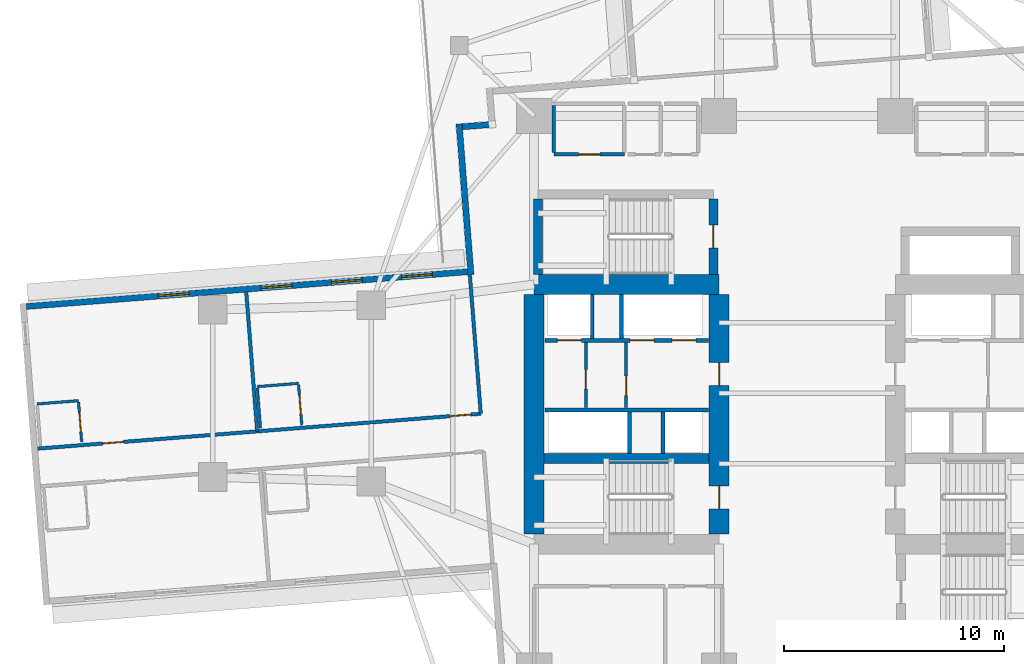
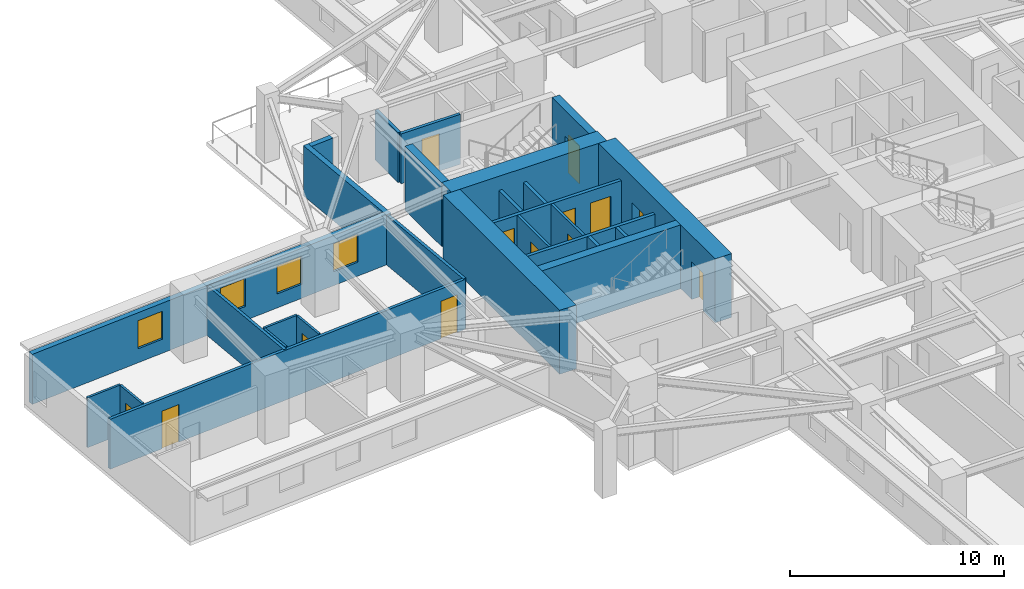
# One storey, part 5 of 13: 27 walls, 13 doors, 4 windows, 17 openings.
"""IFC4 building model written with IfcOpenShell, lengths in metres."""

from ifc_helpers import new_model, si_unit, direction, frame, frame_2d, origin, place, context, subcontext, project, spatial, rectangle, extrude, material, layer, layer_set, type_object, element, fill, save


model = new_model("IFC4")

# Units and contexts
model_context = context("Model", 3, precision=1e-05, world=origin(), true_north=direction((0.0, 1.0)))
body_context = subcontext(model_context, "Body", "Model", "MODEL_VIEW")
ifc_project = project(units=[si_unit("LENGTHUNIT", "METRE"), si_unit("AREAUNIT", "SQUARE_METRE"), si_unit("VOLUMEUNIT", "CUBIC_METRE"), si_unit("PLANEANGLEUNIT", "RADIAN"), si_unit("MASSUNIT", "GRAM", prefix="KILO")], contexts=[model_context])

# Site, building, storey
site_placement = place(None, origin())
site = spatial("IfcSite", under=ifc_project, at=site_placement, CompositionType="ELEMENT")
building_placement = place(site_placement, origin())
building = spatial("IfcBuilding", under=site, at=building_placement, Name="Qingluan Cross Belvedere", CompositionType="ELEMENT")
storey_placement = place(building_placement, frame((0.0, 0.0, 43.199951171875)))
storey = spatial("IfcBuildingStorey", under=building, at=storey_placement, Name="L11", CompositionType="ELEMENT", Elevation=43.199951171875)

# Walls
ifc_material_1 = material(Name="Concrete C50", Category="concrete")
ifc_layer_1 = layer(ifc_material_1, 0.449951171875, Name="CoreShearWall_450")
ifc_layer_set_1 = layer_set([ifc_layer_1], Name="Concrete C50")
wall_type_1 = type_object("IfcWallType", Name="CoreShearWall_450", PredefinedType="SHEAR", material=ifc_layer_set_1)
wall_1_placement = place(storey_placement, frame((-11.945068359375, -2.9599609375, 0.0), z_axis=(0.0, 0.0, 1.0), x_axis=(1.0, 0.0, 0.0)))
element("IfcWall", 1, at=wall_1_placement, inside=storey, type_object=wall_type_1, Name="Split core W shear wall L11-M", PredefinedType="SHEAR", context=body_context, shape_type="SweptSolid", body=[
    extrude(rectangle(XDim=7.489990234375, YDim=0.449951171875, at=frame_2d((3.7451171875, 0.0))), origin(), (0.0, 0.0, 1.0), 3.650146484375),
])
wall_2_placement = place(storey_placement, frame((-12.219970703125, 5.405029296875, 0.0), z_axis=(0.0, 0.0, 1.0), x_axis=(0.0, 1.0, 0.0)))
element("IfcWall", 2, at=wall_2_placement, inside=storey, type_object=wall_type_1, Name="Stair ST3 structural wall W L11", PredefinedType="SHEAR", context=body_context, shape_type="SweptSolid", body=[
    extrude(rectangle(XDim=3.429931640625, YDim=0.39990234375, at=frame_2d((1.71484375, 0.0))), origin(), (0.0, 0.0, 1.0), 3.650146484375),
])

# Wall, opening, door
wall_3_placement = place(storey_placement, frame((-4.260009765625, 5.405029296875, 0.0), z_axis=(0.0, 0.0, 1.0), x_axis=(0.0, 1.0, 0.0)))
wall_3 = element("IfcWall", 3, at=wall_3_placement, inside=storey, type_object=wall_type_1, Name="Stair ST3 structural wall E L11", PredefinedType="SHEAR", context=body_context, shape_type="SweptSolid", body=[
    extrude(rectangle(XDim=3.429931640625, YDim=0.39990234375, at=frame_2d((1.71484375, 0.0))), origin(), (0.0, 0.0, 1.0), 3.650146484375),
])
opening_1_placement = place(wall_3_placement, frame((1.195068359375, 0.0, 0.0)))
opening_1 = element("IfcOpeningElement", 4, at=opening_1_placement, cuts=wall_3, Name="Opening FD-B11", PredefinedType="OPENING", context=body_context, shape_type="SweptSolid", body=[
    extrude(rectangle(XDim=1.050048828125, YDim=2.14990234375, at=frame_2d((0.52490234375, 1.074951171875))), frame((0.0, 0.2099609375, 0.0), z_axis=(0.0, -1.0, 0.0), x_axis=(1.0, 0.0, 0.0)), (0.0, 0.0, 1.0), 0.419921875),
])
ifc_material_2 = material(Name="Steel Class B smoke-seal fire door", Category="steel")
door_type_1 = type_object("IfcDoorType", Name="StairLobbyFireDoor_FDB", OperationType="NOTDEFINED", PredefinedType="DOOR", material=ifc_material_2)
door_1_placement = place(opening_1_placement, origin())
door_1 = element("IfcDoor", 5, at=door_1_placement, inside=storey, type_object=door_type_1, Name="Smoke-proof stair ST3 fire door L11", OperationType="SINGLE_SWING_RIGHT", OverallHeight=2.14990234375, OverallWidth=1.050048828125, PredefinedType="DOOR", context=body_context, shape_type="SweptSolid", body=[
    extrude(rectangle(XDim=1.050048828125, YDim=2.14990234375, at=frame_2d((0.52490234375, 1.074951171875))), frame((0.0, 0.02490234375, 0.0), z_axis=(0.0, -1.0, 0.0), x_axis=(1.0, 0.0, 0.0)), (0.0, 0.0, 1.0), 0.050048828125),
])
fill(opening_1, door_1)

# Walls
ifc_material_3 = material(Name="Concrete C70", Category="concrete")
ifc_layer_2 = layer(ifc_material_3, 0.89990234375, Name="CoreShearWall_900")
ifc_layer_set_2 = layer_set([ifc_layer_2], Name="Concrete C70")
wall_type_2 = type_object("IfcWallType", Name="CoreShearWall_900", PredefinedType="SHEAR", material=ifc_layer_set_2)
wall_4_placement = place(storey_placement, frame((-12.39990234375, 4.949951171875, 0.0), z_axis=(0.0, 0.0, 1.0), x_axis=(1.0, 0.0, 0.0)))
element("IfcWall", 6, at=wall_4_placement, inside=storey, type_object=wall_type_2, Name="Split core W shear wall L11-N", PredefinedType="SHEAR", context=body_context, shape_type="SweptSolid", body=[
    extrude(rectangle(XDim=8.39990234375, YDim=0.89990234375, at=frame_2d((4.199951171875, 0.0))), origin(), (0.0, 0.0, 1.0), 3.650146484375),
])
wall_5_placement = place(storey_placement, frame((-12.39990234375, -6.39501953125, 0.0), z_axis=(0.0, 0.0, 1.0), x_axis=(0.0, 1.0, 0.0)))
element("IfcWall", 7, at=wall_5_placement, inside=storey, type_object=wall_type_2, Name="Split core W shear wall L11-W", PredefinedType="SHEAR", context=body_context, shape_type="SweptSolid", body=[
    extrude(rectangle(XDim=10.89013671875, YDim=0.89990234375, at=frame_2d((5.445068359375, 0.0))), origin(), (0.0, 0.0, 1.0), 3.650146484375),
])

# Wall, openings, doors
wall_6_placement = place(storey_placement, frame((-4.0, -6.39501953125, 0.0), z_axis=(0.0, 0.0, 1.0), x_axis=(0.0, 1.0, 0.0)))
wall_6 = element("IfcWall", 8, at=wall_6_placement, inside=storey, type_object=wall_type_2, Name="Split core W shear wall L11-E", PredefinedType="SHEAR", context=body_context, shape_type="SweptSolid", body=[
    extrude(rectangle(XDim=10.89013671875, YDim=0.89990234375, at=frame_2d((5.445068359375, 0.0))), origin(), (0.0, 0.0, 1.0), 3.650146484375),
])
opening_2_placement = place(wall_6_placement, frame((1.14501953125, 0.0, 0.0)))
opening_2 = element("IfcOpeningElement", 9, at=opening_2_placement, cuts=wall_6, Name="Opening FD-B11", PredefinedType="OPENING", context=body_context, shape_type="SweptSolid", body=[
    extrude(rectangle(XDim=1.050048828125, YDim=2.14990234375, at=frame_2d((0.52490234375, 1.074951171875))), frame((0.0, 0.4599609375, 0.0), z_axis=(0.0, -1.0, 0.0), x_axis=(1.0, 0.0, 0.0)), (0.0, 0.0, 1.0), 0.919921875),
])
opening_3_placement = place(wall_6_placement, frame((6.7451171875, 0.0, 0.0)))
opening_3 = element("IfcOpeningElement", 10, at=opening_3_placement, cuts=wall_6, Name="Opening FD-B11", PredefinedType="OPENING", context=body_context, shape_type="SweptSolid", body=[
    extrude(rectangle(XDim=1.050048828125, YDim=2.14990234375, at=frame_2d((0.52490234375, 1.074951171875))), frame((0.0, 0.4599609375, 0.0), z_axis=(0.0, -1.0, 0.0), x_axis=(1.0, 0.0, 0.0)), (0.0, 0.0, 1.0), 0.919921875),
])
door_2_placement = place(opening_2_placement, origin())
door_2 = element("IfcDoor", 11, at=door_2_placement, inside=storey, type_object=door_type_1, Name="Smoke-proof stair ST1 fire door L11", OperationType="SINGLE_SWING_RIGHT", OverallHeight=2.14990234375, OverallWidth=1.050048828125, PredefinedType="DOOR", context=body_context, shape_type="SweptSolid", body=[
    extrude(rectangle(XDim=1.050048828125, YDim=2.14990234375, at=frame_2d((0.52490234375, 1.074951171875))), frame((0.0, 0.02490234375, 0.0), z_axis=(0.0, -1.0, 0.0), x_axis=(1.0, 0.0, 0.0)), (0.0, 0.0, 1.0), 0.050048828125),
])
fill(opening_2, door_2)
door_3_placement = place(opening_3_placement, origin())
door_3 = element("IfcDoor", 12, at=door_3_placement, inside=storey, type_object=door_type_1, Name="Firefighting lobby West fire door L11", OperationType="SINGLE_SWING_RIGHT", OverallHeight=2.14990234375, OverallWidth=1.050048828125, PredefinedType="DOOR", context=body_context, shape_type="SweptSolid", body=[
    extrude(rectangle(XDim=1.050048828125, YDim=2.14990234375, at=frame_2d((0.52490234375, 1.074951171875))), frame((0.0, 0.02490234375, 0.0), z_axis=(0.0, -1.0, 0.0), x_axis=(1.0, 0.0, 0.0)), (0.0, 0.0, 1.0), 0.050048828125),
])
fill(opening_3, door_3)

# Wall, opening, door
ifc_material_4 = material(Name="Gypsum plasterboard on steel stud acoustic partition", Category="steel")
ifc_layer_3 = layer(ifc_material_4, 0.159912109375, Name="CorridorPartition_160")
ifc_layer_set_3 = layer_set([ifc_layer_3], Name="Gypsum plasterboard on steel stud acoustic partition")
wall_type_3 = type_object("IfcWallType", Name="CorridorPartition_160", PredefinedType="PARTITIONING", material=ifc_layer_set_3)
wall_7_placement = place(storey_placement, frame((-10.050048828125, -0.652099609375, 0.0), z_axis=(0.0, 0.0, 1.0), x_axis=(0.0, 1.0, 0.0)))
wall_7 = element("IfcWall", 13, at=wall_7_placement, inside=storey, type_object=wall_type_3, Name="Partition L11:wv", PredefinedType="PARTITIONING", context=body_context, shape_type="SweptSolid", body=[
    extrude(rectangle(XDim=2.962158203125, YDim=0.139892578125, at=frame_2d((1.48095703125, 0.0))), origin(), (0.0, 0.0, 1.0), 2.85009765625),
])
opening_4_placement = place(wall_7_placement, frame((0.85009765625, 0.0, 0.0)))
opening_4 = element("IfcOpeningElement", 14, at=opening_4_placement, cuts=wall_7, Name="Opening FD-B10", PredefinedType="OPENING", context=body_context, shape_type="SweptSolid", body=[
    extrude(rectangle(XDim=0.8798828125, YDim=2.10009765625, at=frame_2d((0.43994140625, 1.050048828125))), frame((0.0, 0.079833984375, 0.0), z_axis=(0.0, -1.0, 0.0), x_axis=(1.0, 0.0, 0.0)), (0.0, 0.0, 1.0), 0.159912109375),
])
ifc_material_5 = material(Name="Steel Class B service fire door", Category="steel")
door_type_2 = type_object("IfcDoorType", Name="RiserServiceFireDoor_FDB", OperationType="NOTDEFINED", PredefinedType="DOOR", material=ifc_material_5)
door_4_placement = place(opening_4_placement, origin())
door_4 = element("IfcDoor", 15, at=door_4_placement, inside=storey, type_object=door_type_2, Name="Service closet inner door L11", OperationType="SINGLE_SWING_RIGHT", OverallHeight=2.10009765625, OverallWidth=0.8798828125, PredefinedType="DOOR", context=body_context, shape_type="SweptSolid", body=[
    extrude(rectangle(XDim=0.8798828125, YDim=2.10009765625, at=frame_2d((0.43994140625, 1.050048828125))), frame((0.0, 0.02490234375, 0.0), z_axis=(0.0, -1.0, 0.0), x_axis=(1.0, 0.0, 0.0)), (0.0, 0.0, 1.0), 0.050048828125),
])
fill(opening_4, door_4)

wall_8_placement = place(storey_placement, frame((-11.5, 10.85009765625, 0.0), z_axis=(0.0, 0.0, 1.0), x_axis=(1.0, 0.0, 0.0)))
wall_8 = element("IfcWall", 16, at=wall_8_placement, inside=storey, type_object=wall_type_3, Name="Partition L11:q_nw_occ:S", PredefinedType="PARTITIONING", context=body_context, shape_type="SweptSolid", body=[
    extrude(rectangle(XDim=3.199951171875, YDim=0.159912109375, at=frame_2d((1.60009765625, 0.0))), origin(), (0.0, 0.0, 1.0), 2.85009765625),
])
opening_5_placement = place(wall_8_placement, frame((1.1201171875, 0.0, 0.0)))
opening_5 = element("IfcOpeningElement", 17, at=opening_5_placement, cuts=wall_8, Name="Opening GD-10", PredefinedType="OPENING", context=body_context, shape_type="SweptSolid", body=[
    extrude(rectangle(XDim=0.9599609375, YDim=2.14990234375, at=frame_2d((0.47998046875, 1.074951171875))), frame((0.0, 0.08984375, 0.0), z_axis=(0.0, -1.0, 0.0), x_axis=(1.0, 0.0, 0.0)), (0.0, 0.0, 1.0), 0.179931640625),
])
ifc_material_6 = material(Name="Timber oak fire-rated acoustic guestroom door", Category="wood")
door_type_3 = type_object("IfcDoorType", Name="GuestEntryDoor_FD60", OperationType="NOTDEFINED", PredefinedType="DOOR", material=ifc_material_6)
door_5_placement = place(opening_5_placement, origin())
door_5 = element("IfcDoor", 18, at=door_5_placement, inside=storey, type_object=door_type_3, Name="Northwest corner reading salon L11 door", OperationType="SINGLE_SWING_RIGHT", OverallHeight=2.14990234375, OverallWidth=0.9599609375, PredefinedType="DOOR", context=body_context, shape_type="SweptSolid", body=[
    extrude(rectangle(XDim=0.9599609375, YDim=2.14990234375, at=frame_2d((0.47998046875, 1.074951171875))), frame((0.0, 0.02490234375, 0.0), z_axis=(0.0, -1.0, 0.0), x_axis=(1.0, 0.0, 0.0)), (0.0, 0.0, 1.0), 0.050048828125),
])
fill(opening_5, door_5)

# Wall
wall_9_placement = place(storey_placement, frame((-11.5, 10.93505859375, 0.0), z_axis=(0.0, 0.0, 1.0), x_axis=(0.0, 1.0, 0.0)))
element("IfcWall", 19, at=wall_9_placement, inside=storey, type_object=wall_type_3, Name="Partition L11:q_nw_occ:W", PredefinedType="PARTITIONING", context=body_context, shape_type="SweptSolid", body=[
    extrude(rectangle(XDim=2.1298828125, YDim=0.159912109375, at=frame_2d((1.06494140625, 0.0))), origin(), (0.0, 0.0, 1.0), 2.85009765625),
])

# Wall, openings, doors
wall_10_placement = place(storey_placement, frame((-14.822998046875, -0.92578125, 0.0), z_axis=(0.0, 0.0, 1.0), x_axis=(-0.996917226209, -0.078460461943, 0.0)))
wall_10 = element("IfcWall", 20, at=wall_10_placement, inside=storey, type_object=wall_type_3, Name="Partition L11:W:c0", PredefinedType="PARTITIONING", context=body_context, shape_type="SweptSolid", body=[
    extrude(rectangle(XDim=20.18212890625, YDim=0.159912109375, at=frame_2d((10.091064453125, 0.0))), origin(), (0.0, 0.0, 1.0), 2.85009765625),
])
opening_6_placement = place(wall_10_placement, frame((0.449951171875, 0.0, 0.0)))
opening_6 = element("IfcOpeningElement", 21, at=opening_6_placement, cuts=wall_10, Name="Opening GD-10", PredefinedType="OPENING", context=body_context, shape_type="SweptSolid", body=[
    extrude(rectangle(XDim=0.9599609375, YDim=2.14990234375, at=frame_2d((0.47998046875, 1.074951171875))), frame((0.0, 0.08984375, 0.0), z_axis=(0.0, -1.0, 0.0), x_axis=(1.0, 0.0, 0.0)), (0.0, 0.0, 1.0), 0.179931640625),
])
opening_7_placement = place(wall_10_placement, frame((16.26806640625, 0.0, 0.0)))
opening_7 = element("IfcOpeningElement", 22, at=opening_7_placement, cuts=wall_10, Name="Opening GD-10", PredefinedType="OPENING", context=body_context, shape_type="SweptSolid", body=[
    extrude(rectangle(XDim=0.9599609375, YDim=2.14990234375, at=frame_2d((0.47998046875, 1.074951171875))), frame((0.0, 0.08984375, 0.0), z_axis=(0.0, -1.0, 0.0), x_axis=(1.0, 0.0, 0.0)), (0.0, 0.0, 1.0), 0.179931640625),
])
door_6_placement = place(opening_6_placement, origin())
door_6 = element("IfcDoor", 23, at=door_6_placement, inside=storey, type_object=door_type_3, Name="Guest entry fire door 1105", OperationType="SINGLE_SWING_LEFT", OverallHeight=2.14990234375, OverallWidth=0.9599609375, PredefinedType="DOOR", context=body_context, shape_type="SweptSolid", body=[
    extrude(rectangle(XDim=0.9599609375, YDim=2.14990234375, at=frame_2d((0.47998046875, 1.074951171875))), frame((0.0, 0.02490234375, 0.0), z_axis=(0.0, -1.0, 0.0), x_axis=(1.0, 0.0, 0.0)), (0.0, 0.0, 1.0), 0.050048828125),
])
fill(opening_6, door_6)
door_7_placement = place(opening_7_placement, origin())
door_7 = element("IfcDoor", 24, at=door_7_placement, inside=storey, type_object=door_type_3, Name="Guest entry fire door 1106", OperationType="SINGLE_SWING_LEFT", OverallHeight=2.14990234375, OverallWidth=0.9599609375, PredefinedType="DOOR", context=body_context, shape_type="SweptSolid", body=[
    extrude(rectangle(XDim=0.9599609375, YDim=2.14990234375, at=frame_2d((0.47998046875, 1.074951171875))), frame((0.0, 0.02490234375, 0.0), z_axis=(0.0, -1.0, 0.0), x_axis=(1.0, 0.0, 0.0)), (0.0, 0.0, 1.0), 0.050048828125),
])
fill(opening_7, door_7)

# Walls
for number, where, z_axis, x_axis, name in (
    (25, (-14.822998046875, -0.92578125, 0.0), (0.0, 0.0, 1.0), (-0.078462493424, 0.996917066323, 0.0), "Partition L11:W:s0"),
    (26, (-24.976806640625, -1.72509765625, 0.0), (0.0, 0.0, 1.0), (-0.07842417411, 0.996920081509, 0.0), "Partition L11:W:d0_0"),
):
    element("IfcWall", number, at=place(storey_placement, frame(where, z_axis=z_axis, x_axis=x_axis)), inside=storey, type_object=wall_type_3, Name=name, PredefinedType="PARTITIONING", context=body_context, shape_type="SweptSolid", body=[
        extrude(rectangle(XDim=6.33203125, YDim=0.159912109375, at=frame_2d((3.166015625, 0.0))), origin(), (0.0, 0.0, 1.0), 2.85009765625),
    ])

# Wall, opening, door
ifc_material_7 = material(Name="Moisture-resistant gypsum board lining")
ifc_layer_4 = layer(ifc_material_7, 0.1201171875, Name="EnsuiteWetPartition_120")
ifc_layer_set_4 = layer_set([ifc_layer_4], Name="Moisture-resistant gypsum board lining")
wall_type_4 = type_object("IfcWallType", Name="EnsuiteWetPartition_120", PredefinedType="PARTITIONING", material=ifc_layer_set_4)
wall_11_placement = place(storey_placement, frame((-22.953857421875, -1.42529296875, 0.0), z_axis=(0.0, 0.0, 1.0), x_axis=(-0.0784709492, 0.996916400774, 0.0)))
wall_11 = element("IfcWall", 27, at=wall_11_placement, inside=storey, type_object=wall_type_4, Name="Partition L11:W:bs0_0", PredefinedType="PARTITIONING", context=body_context, shape_type="SweptSolid", body=[
    extrude(rectangle(XDim=1.820068359375, YDim=0.1201171875, at=frame_2d((0.91015625, 0.0))), origin(), (0.0, 0.0, 1.0), 2.85009765625),
])
opening_8_placement = place(wall_11_placement, frame((0.469970703125, 0.0, 0.0)))
opening_8 = element("IfcOpeningElement", 28, at=opening_8_placement, cuts=wall_11, Name="Opening BD-09", PredefinedType="OPENING", context=body_context, shape_type="SweptSolid", body=[
    extrude(rectangle(XDim=0.8798828125, YDim=2.10009765625, at=frame_2d((0.43994140625, 1.050048828125))), frame((0.0, 0.070068359375, 0.0), z_axis=(0.0, -1.0, 0.0), x_axis=(1.0, 0.0, 0.0)), (0.0, 0.0, 1.0), 0.14013671875),
])
ifc_material_8 = material(Name="Moisture-sealed timber en-suite door", Category="wood")
door_type_4 = type_object("IfcDoorType", Name="BathroomDoor_880", OperationType="NOTDEFINED", PredefinedType="DOOR", material=ifc_material_8)
door_8_placement = place(opening_8_placement, origin())
door_8 = element("IfcDoor", 29, at=door_8_placement, inside=storey, type_object=door_type_4, Name="Bathroom door 1105", OperationType="SINGLE_SWING_RIGHT", OverallHeight=2.10009765625, OverallWidth=0.8798828125, PredefinedType="DOOR", context=body_context, shape_type="SweptSolid", body=[
    extrude(rectangle(XDim=0.8798828125, YDim=2.10009765625, at=frame_2d((0.43994140625, 1.050048828125))), frame((0.0, 0.02490234375, 0.0), z_axis=(0.0, -1.0, 0.0), x_axis=(1.0, 0.0, 0.0)), (0.0, 0.0, 1.0), 0.050048828125),
])
fill(opening_8, door_8)

# Walls
wall_12_placement = place(storey_placement, frame((-24.828125, -1.57275390625, 0.0), z_axis=(0.0, 0.0, 1.0), x_axis=(-0.078481444107, 0.996915574626, 0.0)))
element("IfcWall", 30, at=wall_12_placement, inside=storey, type_object=wall_type_4, Name="Partition L11:W:bw0_0", PredefinedType="PARTITIONING", context=body_context, shape_type="SweptSolid", body=[
    extrude(rectangle(XDim=1.81982421875, YDim=0.1201171875, at=frame_2d((0.909912109375, 0.0))), origin(), (0.0, 0.0, 1.0), 2.85009765625),
])
wall_13_placement = place(storey_placement, frame((-23.101806640625, 0.453857421875, 0.0), z_axis=(0.0, 0.0, 1.0), x_axis=(-0.996919293781, -0.07843418698, 0.0)))
element("IfcWall", 31, at=wall_13_placement, inside=storey, type_object=wall_type_4, Name="Partition L11:W:bn0_0", PredefinedType="PARTITIONING", context=body_context, shape_type="SweptSolid", body=[
    extrude(rectangle(XDim=1.880126953125, YDim=0.1201171875, at=frame_2d((0.93994140625, 0.0))), origin(), (0.0, 0.0, 1.0), 2.85009765625),
])

# Wall, opening, door
wall_14_placement = place(storey_placement, frame((-32.947998046875, -2.2119140625, 0.0), z_axis=(0.0, 0.0, 1.0), x_axis=(-0.0784709492, 0.996916400774, 0.0)))
wall_14 = element("IfcWall", 32, at=wall_14_placement, inside=storey, type_object=wall_type_4, Name="Partition L11:W:bs0_1", PredefinedType="PARTITIONING", context=body_context, shape_type="SweptSolid", body=[
    extrude(rectangle(XDim=1.820068359375, YDim=0.1201171875, at=frame_2d((0.91015625, 0.0))), origin(), (0.0, 0.0, 1.0), 2.85009765625),
])
opening_9_placement = place(wall_14_placement, frame((0.469970703125, 0.0, 0.0)))
opening_9 = element("IfcOpeningElement", 33, at=opening_9_placement, cuts=wall_14, Name="Opening BD-09", PredefinedType="OPENING", context=body_context, shape_type="SweptSolid", body=[
    extrude(rectangle(XDim=0.8798828125, YDim=2.10009765625, at=frame_2d((0.43994140625, 1.050048828125))), frame((0.0, 0.070068359375, 0.0), z_axis=(0.0, -1.0, 0.0), x_axis=(1.0, 0.0, 0.0)), (0.0, 0.0, 1.0), 0.14013671875),
])
door_9_placement = place(opening_9_placement, origin())
door_9 = element("IfcDoor", 34, at=door_9_placement, inside=storey, type_object=door_type_4, Name="Bathroom door 1106", OperationType="SINGLE_SWING_RIGHT", OverallHeight=2.10009765625, OverallWidth=0.8798828125, PredefinedType="DOOR", context=body_context, shape_type="SweptSolid", body=[
    extrude(rectangle(XDim=0.8798828125, YDim=2.10009765625, at=frame_2d((0.43994140625, 1.050048828125))), frame((0.0, 0.02490234375, 0.0), z_axis=(0.0, -1.0, 0.0), x_axis=(1.0, 0.0, 0.0)), (0.0, 0.0, 1.0), 0.050048828125),
])
fill(opening_9, door_9)

# Wall
wall_15_placement = place(storey_placement, frame((-33.095947265625, -0.332763671875, 0.0), z_axis=(0.0, 0.0, 1.0), x_axis=(-0.996919293781, -0.07843418698, 0.0)))
element("IfcWall", 35, at=wall_15_placement, inside=storey, type_object=wall_type_4, Name="Partition L11:W:bn0_1", PredefinedType="PARTITIONING", context=body_context, shape_type="SweptSolid", body=[
    extrude(rectangle(XDim=1.880126953125, YDim=0.1201171875, at=frame_2d((0.93994140625, 0.0))), origin(), (0.0, 0.0, 1.0), 2.85009765625),
])

# Wall, openings, windows
ifc_material_9 = material(Name="Precast concrete C45", Category="concrete")
ifc_layer_5 = layer(ifc_material_9, 0.280029296875, Name="PrecastFacadeWall_280")
ifc_layer_set_5 = layer_set([ifc_layer_5], Name="Precast concrete C45")
wall_type_5 = type_object("IfcWallType", Name="PrecastFacadeWall_280", PredefinedType="STANDARD", material=ifc_layer_set_5)
wall_16_placement = place(storey_placement, frame((-15.421142578125, 5.527099609375, 0.0), z_axis=(0.0, 0.0, 1.0), x_axis=(-0.996917828963, -0.078452802979, 0.0)))
wall_16 = element("IfcWall", 36, at=wall_16_placement, inside=storey, type_object=wall_type_5, Name="Facade wall L11-WA", PredefinedType="STANDARD", context=body_context, shape_type="SweptSolid", body=[
    extrude(rectangle(XDim=20.10009765625, YDim=0.280029296875, at=frame_2d((10.050048828125, 0.0))), origin(), (0.0, 0.0, 1.0), 2.860107421875),
])
opening_10_placement = place(wall_16_placement, frame((1.60009765625, 0.0, 0.800048828125)))
opening_10 = element("IfcOpeningElement", 37, at=opening_10_placement, cuts=wall_16, Name="Opening W-01", PredefinedType="OPENING", context=body_context, shape_type="SweptSolid", body=[
    extrude(rectangle(XDim=1.39990234375, YDim=1.60009765625, at=frame_2d((0.699951171875, 0.800048828125))), frame((0.0, 0.14990234375, 0.0), z_axis=(0.0, -1.0, 0.0), x_axis=(1.0, 0.0, 0.0)), (0.0, 0.0, 1.0), 0.300048828125),
])
opening_11_placement = place(wall_16_placement, frame((4.800048828125, 0.0, 0.800048828125)))
opening_11 = element("IfcOpeningElement", 38, at=opening_11_placement, cuts=wall_16, Name="Opening W-01", PredefinedType="OPENING", context=body_context, shape_type="SweptSolid", body=[
    extrude(rectangle(XDim=1.39990234375, YDim=1.60009765625, at=frame_2d((0.699951171875, 0.800048828125))), frame((0.0, 0.14990234375, 0.0), z_axis=(0.0, -1.0, 0.0), x_axis=(1.0, 0.0, 0.0)), (0.0, 0.0, 1.0), 0.300048828125),
])
opening_12_placement = place(wall_16_placement, frame((8.0, 0.0, 0.800048828125)))
opening_12 = element("IfcOpeningElement", 39, at=opening_12_placement, cuts=wall_16, Name="Opening W-01", PredefinedType="OPENING", context=body_context, shape_type="SweptSolid", body=[
    extrude(rectangle(XDim=1.39990234375, YDim=1.60009765625, at=frame_2d((0.699951171875, 0.800048828125))), frame((0.0, 0.14990234375, 0.0), z_axis=(0.0, -1.0, 0.0), x_axis=(1.0, 0.0, 0.0)), (0.0, 0.0, 1.0), 0.300048828125),
])
opening_13_placement = place(wall_16_placement, frame((12.699951171875, 0.0, 0.800048828125)))
opening_13 = element("IfcOpeningElement", 40, at=opening_13_placement, cuts=wall_16, Name="Opening W-01", PredefinedType="OPENING", context=body_context, shape_type="SweptSolid", body=[
    extrude(rectangle(XDim=1.39990234375, YDim=1.60009765625, at=frame_2d((0.699951171875, 0.800048828125))), frame((0.0, 0.14990234375, 0.0), z_axis=(0.0, -1.0, 0.0), x_axis=(1.0, 0.0, 0.0)), (0.0, 0.0, 1.0), 0.300048828125),
])
ifc_material_10 = material(Name="Thermally broken triple Low-E glass in aluminium frame", Category="aluminium")
window_type = type_object("IfcWindowType", Name="TriRibbonWin_1400x1600", PartitioningType="SINGLE_PANEL", PredefinedType="WINDOW", material=ifc_material_10)
window_1_placement = place(opening_10_placement, origin())
window_1 = element("IfcWindow", 41, at=window_1_placement, inside=storey, type_object=window_type, Name="Ribbon window L11-WA-1", OverallHeight=1.60009765625, OverallWidth=1.39990234375, PartitioningType="SINGLE_PANEL", PredefinedType="WINDOW", context=body_context, shape_type="SweptSolid", body=[
    extrude(rectangle(XDim=1.39990234375, YDim=1.60009765625, at=frame_2d((0.699951171875, 0.800048828125))), frame((0.0, 0.030029296875, 0.0), z_axis=(0.0, -1.0, 0.0), x_axis=(1.0, 0.0, 0.0)), (0.0, 0.0, 1.0), 0.06005859375),
])
fill(opening_10, window_1)
window_2_placement = place(opening_11_placement, origin())
window_2 = element("IfcWindow", 42, at=window_2_placement, inside=storey, type_object=window_type, Name="Ribbon window L11-WA-2", OverallHeight=1.60009765625, OverallWidth=1.39990234375, PartitioningType="SINGLE_PANEL", PredefinedType="WINDOW", context=body_context, shape_type="SweptSolid", body=[
    extrude(rectangle(XDim=1.39990234375, YDim=1.60009765625, at=frame_2d((0.699951171875, 0.800048828125))), frame((0.0, 0.030029296875, 0.0), z_axis=(0.0, -1.0, 0.0), x_axis=(1.0, 0.0, 0.0)), (0.0, 0.0, 1.0), 0.06005859375),
])
fill(opening_11, window_2)
window_3_placement = place(opening_12_placement, origin())
window_3 = element("IfcWindow", 43, at=window_3_placement, inside=storey, type_object=window_type, Name="Ribbon window L11-WA-3", OverallHeight=1.60009765625, OverallWidth=1.39990234375, PartitioningType="SINGLE_PANEL", PredefinedType="WINDOW", context=body_context, shape_type="SweptSolid", body=[
    extrude(rectangle(XDim=1.39990234375, YDim=1.60009765625, at=frame_2d((0.699951171875, 0.800048828125))), frame((0.0, 0.030029296875, 0.0), z_axis=(0.0, -1.0, 0.0), x_axis=(1.0, 0.0, 0.0)), (0.0, 0.0, 1.0), 0.06005859375),
])
fill(opening_12, window_3)
window_4_placement = place(opening_13_placement, origin())
window_4 = element("IfcWindow", 44, at=window_4_placement, inside=storey, type_object=window_type, Name="Ribbon window L11-WA-4", OverallHeight=1.60009765625, OverallWidth=1.39990234375, PartitioningType="SINGLE_PANEL", PredefinedType="WINDOW", context=body_context, shape_type="SweptSolid", body=[
    extrude(rectangle(XDim=1.39990234375, YDim=1.60009765625, at=frame_2d((0.699951171875, 0.800048828125))), frame((0.0, 0.030029296875, 0.0), z_axis=(0.0, -1.0, 0.0), x_axis=(1.0, 0.0, 0.0)), (0.0, 0.0, 1.0), 0.06005859375),
])
fill(opening_13, window_4)

# Walls
wall_17_placement = place(storey_placement, frame((-15.2705078125, 5.3984375, 0.0), z_axis=(0.0, 0.0, 1.0), x_axis=(-0.078473519122, 0.996916198482, 0.0)))
element("IfcWall", 45, at=wall_17_placement, inside=storey, type_object=wall_type_5, Name="Corner wall L11-NW1", PredefinedType="STANDARD", context=body_context, shape_type="SweptSolid", body=[
    extrude(rectangle(XDim=6.860107421875, YDim=0.280029296875, at=frame_2d((3.43017578125, 0.0))), origin(), (0.0, 0.0, 1.0), 2.860107421875),
])
wall_18_placement = place(storey_placement, frame((-15.658203125, 12.10888671875, 0.0), z_axis=(0.0, 0.0, 1.0), x_axis=(0.996917540398, 0.078456469752, 0.0)))
element("IfcWall", 46, at=wall_18_placement, inside=storey, type_object=wall_type_5, Name="Corner wall L11-NW2", PredefinedType="STANDARD", context=body_context, shape_type="SweptSolid", body=[
    extrude(rectangle(XDim=1.2197265625, YDim=0.280029296875, at=frame_2d((0.60986328125, 0.0))), origin(), (0.0, 0.0, 1.0), 2.860107421875),
])

# Wall, openings, doors
ifc_material_11 = material(Name="Concrete C40", Category="concrete")
ifc_layer_6 = layer(ifc_material_11, 0.219970703125, Name="ShaftEnclosureWall_250")
ifc_layer_set_6 = layer_set([ifc_layer_6], Name="Concrete C40")
wall_type_6 = type_object("IfcWallType", Name="ShaftEnclosureWall_250", PredefinedType="SOLIDWALL", material=ifc_layer_set_6)
wall_19_placement = place(storey_placement, frame((-11.89990234375, 2.409912109375, 0.0), z_axis=(0.0, 0.0, 1.0), x_axis=(1.0, 0.0, 0.0)))
wall_19 = element("IfcWall", 47, at=wall_19_placement, inside=storey, type_object=wall_type_6, Name="Core-W north hoistway wall L11", PredefinedType="SOLIDWALL", context=body_context, shape_type="SweptSolid", body=[
    extrude(rectangle(XDim=7.419921875, YDim=0.179931640625, at=frame_2d((3.7099609375, 0.0))), origin(), (0.0, 0.0, 1.0), 2.85009765625),
])
opening_14_placement = place(wall_19_placement, frame((0.550048828125, 0.0, 0.0)))
opening_14 = element("IfcOpeningElement", 48, at=opening_14_placement, cuts=wall_19, Name="Opening LD-11", PredefinedType="OPENING", context=body_context, shape_type="SweptSolid", body=[
    extrude(rectangle(XDim=1.10009765625, YDim=2.14990234375, at=frame_2d((0.550048828125, 1.074951171875))), frame((0.0, 0.099853515625, 0.0), z_axis=(0.0, -1.0, 0.0), x_axis=(1.0, 0.0, 0.0)), (0.0, 0.0, 1.0), 0.199951171875),
])
opening_15_placement = place(wall_19_placement, frame((3.85009765625, 0.0, 0.0)))
opening_15 = element("IfcOpeningElement", 49, at=opening_15_placement, cuts=wall_19, Name="Opening LD-11", PredefinedType="OPENING", context=body_context, shape_type="SweptSolid", body=[
    extrude(rectangle(XDim=1.10009765625, YDim=2.14990234375, at=frame_2d((0.550048828125, 1.074951171875))), frame((0.0, 0.099853515625, 0.0), z_axis=(0.0, -1.0, 0.0), x_axis=(1.0, 0.0, 0.0)), (0.0, 0.0, 1.0), 0.199951171875),
])
opening_16_placement = place(wall_19_placement, frame((5.75, 0.0, 0.0)))
opening_16 = element("IfcOpeningElement", 50, at=opening_16_placement, cuts=wall_19, Name="Opening LD-11", PredefinedType="OPENING", context=body_context, shape_type="SweptSolid", body=[
    extrude(rectangle(XDim=1.10009765625, YDim=2.14990234375, at=frame_2d((0.550048828125, 1.074951171875))), frame((0.0, 0.099853515625, 0.0), z_axis=(0.0, -1.0, 0.0), x_axis=(1.0, 0.0, 0.0)), (0.0, 0.0, 1.0), 0.199951171875),
])
ifc_material_12 = material(Name="Brushed stainless steel centre-opening lift landing door", Category="steel")
door_type_5 = type_object("IfcDoorType", Name="LiftLandingSlidingDoor_1100", OperationType="DOUBLE_DOOR_SLIDING", PredefinedType="DOOR", material=ifc_material_12)
door_10_placement = place(opening_14_placement, origin())
door_10 = element("IfcDoor", 51, at=door_10_placement, inside=storey, type_object=door_type_5, Name="Lift landing sliding door FL1 L11", OperationType="DOUBLE_DOOR_SLIDING", OverallHeight=2.14990234375, OverallWidth=1.10009765625, PredefinedType="DOOR", context=body_context, shape_type="SweptSolid", body=[
    extrude(rectangle(XDim=1.10009765625, YDim=2.14990234375, at=frame_2d((0.550048828125, 1.074951171875))), frame((0.0, 0.02490234375, 0.0), z_axis=(0.0, -1.0, 0.0), x_axis=(1.0, 0.0, 0.0)), (0.0, 0.0, 1.0), 0.050048828125),
])
fill(opening_14, door_10)
door_11_placement = place(opening_15_placement, origin())
door_11 = element("IfcDoor", 52, at=door_11_placement, inside=storey, type_object=door_type_5, Name="Lift landing sliding door LP1 L11", OperationType="DOUBLE_DOOR_SLIDING", OverallHeight=2.14990234375, OverallWidth=1.10009765625, PredefinedType="DOOR", context=body_context, shape_type="SweptSolid", body=[
    extrude(rectangle(XDim=1.10009765625, YDim=2.14990234375, at=frame_2d((0.550048828125, 1.074951171875))), frame((0.0, 0.02490234375, 0.0), z_axis=(0.0, -1.0, 0.0), x_axis=(1.0, 0.0, 0.0)), (0.0, 0.0, 1.0), 0.050048828125),
])
fill(opening_15, door_11)
door_12_placement = place(opening_16_placement, origin())
door_12 = element("IfcDoor", 53, at=door_12_placement, inside=storey, type_object=door_type_5, Name="Lift landing sliding door LP2 L11", OperationType="DOUBLE_DOOR_SLIDING", OverallHeight=2.14990234375, OverallWidth=1.10009765625, PredefinedType="DOOR", context=body_context, shape_type="SweptSolid", body=[
    extrude(rectangle(XDim=1.10009765625, YDim=2.14990234375, at=frame_2d((0.550048828125, 1.074951171875))), frame((0.0, 0.02490234375, 0.0), z_axis=(0.0, -1.0, 0.0), x_axis=(1.0, 0.0, 0.0)), (0.0, 0.0, 1.0), 0.050048828125),
])
fill(opening_16, door_12)

# Walls
wall_20_placement = place(storey_placement, frame((-11.89990234375, -0.75, 0.0), z_axis=(0.0, 0.0, 1.0), x_axis=(1.0, 0.0, 0.0)))
element("IfcWall", 54, at=wall_20_placement, inside=storey, type_object=wall_type_6, Name="Core-W mid hoistway wall L11", PredefinedType="SOLIDWALL", context=body_context, shape_type="SweptSolid", body=[
    extrude(rectangle(XDim=7.419921875, YDim=0.179931640625, at=frame_2d((3.7099609375, 0.0))), origin(), (0.0, 0.0, 1.0), 2.85009765625),
])
for number, where, z_axis, x_axis, name in (
    (55, (-9.760009765625, 2.5, 0.0), (0.0, 0.0, 1.0), (0.0, 1.0, 0.0), "Hoistway enclosure divider FL1E L11"),
    (56, (-8.43994140625, 2.5, 0.0), (0.0, 0.0, 1.0), (0.0, 1.0, 0.0), "Hoistway enclosure divider LP1W L11"),
):
    element("IfcWall", number, at=place(storey_placement, frame(where, z_axis=z_axis, x_axis=x_axis)), inside=storey, type_object=wall_type_6, Name=name, PredefinedType="SOLIDWALL", context=body_context, shape_type="SweptSolid", body=[
        extrude(rectangle(XDim=1.989990234375, YDim=0.179931640625, at=frame_2d((0.9951171875, 0.0))), origin(), (0.0, 0.0, 1.0), 2.85009765625),
    ])
for number, where, z_axis, x_axis, name in (
    (57, (-8.06005859375, -2.72998046875, 0.0), (0.0, 0.0, 1.0), (0.0, 1.0, 0.0), "Hoistway enclosure divider LP6E L11"),
    (58, (-6.5400390625, -2.72998046875, 0.0), (0.0, 0.0, 1.0), (0.0, 1.0, 0.0), "Hoistway enclosure divider LP8W L11"),
):
    element("IfcWall", number, at=place(storey_placement, frame(where, z_axis=z_axis, x_axis=x_axis)), inside=storey, type_object=wall_type_6, Name=name, PredefinedType="SOLIDWALL", context=body_context, shape_type="SweptSolid", body=[
        extrude(rectangle(XDim=1.889892578125, YDim=0.179931640625, at=frame_2d((0.94482421875, 0.0))), origin(), (0.0, 0.0, 1.0), 2.85009765625),
    ])

# Wall, opening, door
wall_21_placement = place(storey_placement, frame((-8.219970703125, -0.64990234375, 0.0), z_axis=(0.0, 0.0, 1.0), x_axis=(0.0, 1.0, 0.0)))
wall_21 = element("IfcWall", 59, at=wall_21_placement, inside=storey, type_object=wall_type_6, Name="Core-W service corridor wall L11", PredefinedType="SOLIDWALL", context=body_context, shape_type="SweptSolid", body=[
    extrude(rectangle(XDim=2.9599609375, YDim=0.139892578125, at=frame_2d((1.47998046875, 0.0))), origin(), (0.0, 0.0, 1.0), 2.85009765625),
])
opening_17_placement = place(wall_21_placement, frame((0.550048828125, 0.0, 0.0)))
opening_17 = element("IfcOpeningElement", 60, at=opening_17_placement, cuts=wall_21, Name="Opening FD-B10", PredefinedType="OPENING", context=body_context, shape_type="SweptSolid", body=[
    extrude(rectangle(XDim=0.8798828125, YDim=2.10009765625, at=frame_2d((0.43994140625, 1.050048828125))), frame((0.0, 0.079833984375, 0.0), z_axis=(0.0, -1.0, 0.0), x_axis=(1.0, 0.0, 0.0)), (0.0, 0.0, 1.0), 0.159912109375),
])
door_13_placement = place(opening_17_placement, origin())
door_13 = element("IfcDoor", 61, at=door_13_placement, inside=storey, type_object=door_type_2, Name="Core-W service room door L11", OperationType="SINGLE_SWING_RIGHT", OverallHeight=2.10009765625, OverallWidth=0.8798828125, PredefinedType="DOOR", context=body_context, shape_type="SweptSolid", body=[
    extrude(rectangle(XDim=0.8798828125, YDim=2.10009765625, at=frame_2d((0.43994140625, 1.050048828125))), frame((0.0, 0.02490234375, 0.0), z_axis=(0.0, -1.0, 0.0), x_axis=(1.0, 0.0, 0.0)), (0.0, 0.0, 1.0), 0.050048828125),
])
fill(opening_17, door_13)

save(model, "model.ifc")
